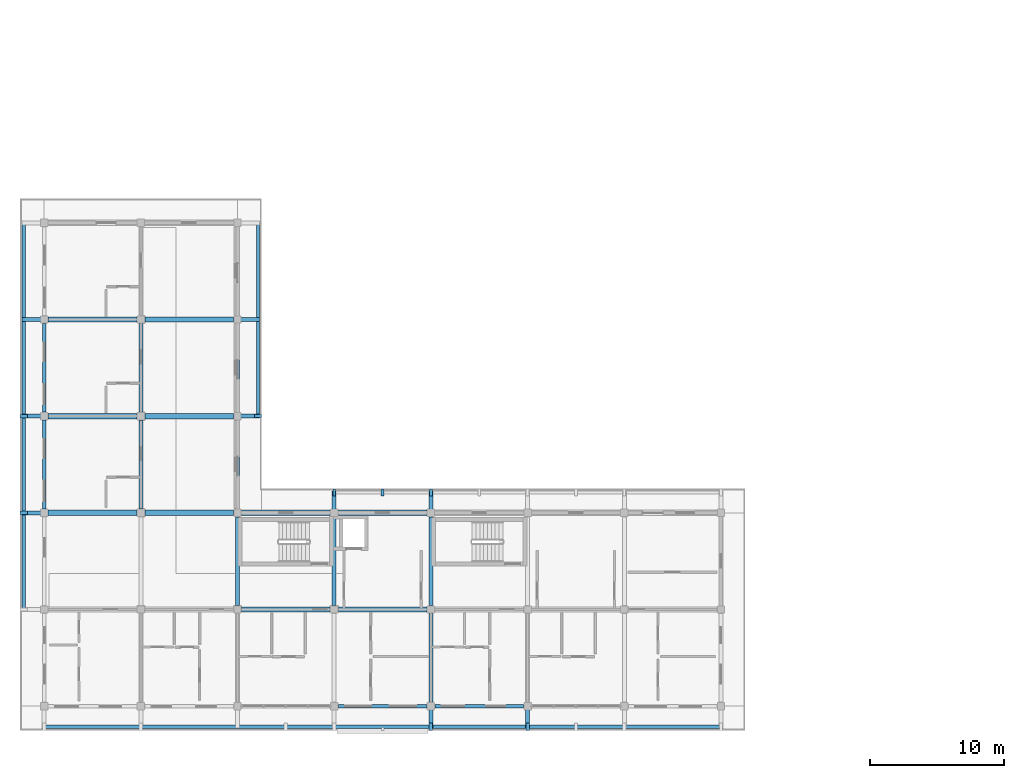
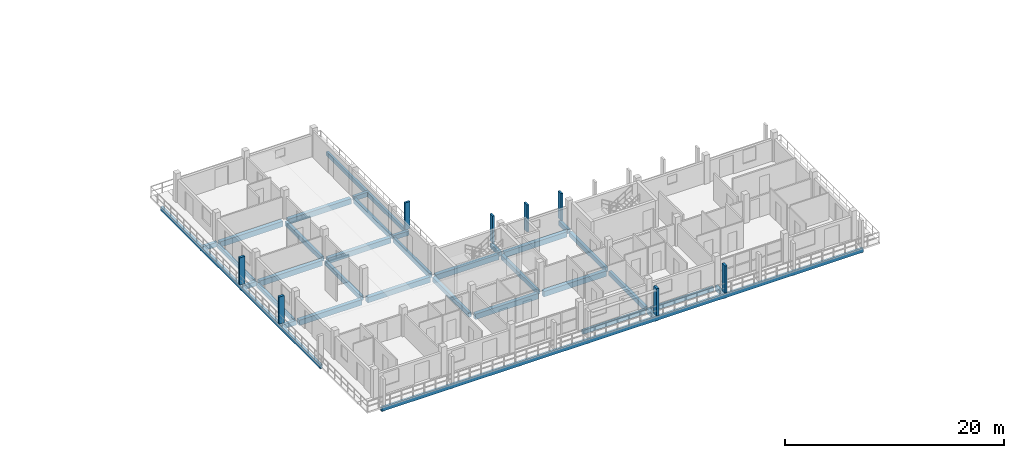
# One storey, part 5 of 73: 34 beams, 8 members.
"""IFC4 building model written with IfcOpenShell, lengths in metres."""

from ifc_helpers import new_model, si_unit, direction, frame, origin, origin_2d, place, context, subcontext, project, spatial, rectangle, extrude, material, material_profile, profile_set, type_object, element, save


model = new_model("IFC4")

# Units and contexts
model_context = context("Model", 3, precision=1e-05, world=origin(), true_north=direction((0.0, 1.0)))
body_context = subcontext(model_context, "Body", "Model", "MODEL_VIEW")
ifc_project = project(units=[si_unit("LENGTHUNIT", "METRE"), si_unit("AREAUNIT", "SQUARE_METRE"), si_unit("VOLUMEUNIT", "CUBIC_METRE"), si_unit("PLANEANGLEUNIT", "RADIAN"), si_unit("MASSUNIT", "GRAM", prefix="KILO")], contexts=[model_context])

# Site, building, storey
site_placement = place(None, origin())
site = spatial("IfcSite", under=ifc_project, at=site_placement, CompositionType="ELEMENT")
building_placement = place(site_placement, origin())
building = spatial("IfcBuilding", under=site, at=building_placement, Name="Suanplinth Sawtooth Commons", CompositionType="ELEMENT")
storey_placement = place(building_placement, frame((0.0, 0.0, 21.89990234375)))
storey = spatial("IfcBuildingStorey", under=building, at=storey_placement, Name="L06", CompositionType="ELEMENT", Elevation=21.89990234375)

# Beams
ifc_material_1 = material(Name="Precast concrete C40/50", Category="concrete")
ifc_material_profile_1 = material_profile(ifc_material_1, rectangle(XDim=0.39990234375, YDim=0.60009765625, at=origin_2d()), Name="PC-GDR 400x600")
ifc_profile_set_1 = profile_set([ifc_material_profile_1], Name="Precast concrete C40/50")
beam_type_1 = type_object("IfcBeamType", Name="B-05", PredefinedType="USERDEFINED", material=ifc_profile_set_1)
for number, where, z_axis, x_axis, name in (
    (1, (0.300048828125, 14.39990234375, -0.539794921875), (1.0, 0.0, 0.0), (0.0, 1.0, 0.0), "BMX-L06-D-0-2"),
    (2, (0.300048828125, 21.60009765625, -0.539794921875), (1.0, 0.0, 0.0), (0.0, 1.0, 0.0), "BMX-L06-D-0-3"),
    (3, (0.300048828125, 28.800048828125, -0.539794921875), (1.0, 0.0, 0.0), (0.0, 1.0, 0.0), "BMX-L06-D-0-4"),
):
    element("IfcBeam", number, at=place(storey_placement, frame(where, z_axis=z_axis, x_axis=x_axis)), inside=storey, type_object=beam_type_1, Name=name, ObjectType="GIRDER", PredefinedType="USERDEFINED", context=body_context, shape_type="SweptSolid", body=[
        extrude(rectangle(XDim=0.39990234375, YDim=0.60009765625, at=origin_2d()), origin(), (0.0, 0.0, 1.0), 6.599853515625),
    ])
for number, where, z_axis, x_axis, name in (
    (4, (7.5, 14.39990234375, -0.539794921875), (1.0, 0.0, 0.0), (0.0, 1.0, 0.0), "BMX-L06-D-1-2"),
    (5, (7.5, 21.60009765625, -0.539794921875), (1.0, 0.0, 0.0), (0.0, 1.0, 0.0), "BMX-L06-D-1-3"),
    (6, (7.5, 28.800048828125, -0.539794921875), (1.0, 0.0, 0.0), (0.0, 1.0, 0.0), "BMX-L06-D-1-4"),
    (7, (14.699951171875, 7.199951171875, -0.539794921875), (1.0, 0.0, 0.0), (0.0, 1.0, 0.0), "BMX-L06-D-2-1"),
    (8, (14.699951171875, 14.39990234375, -0.539794921875), (1.0, 0.0, 0.0), (0.0, 1.0, 0.0), "BMX-L06-D-2-2"),
    (9, (21.89990234375, 7.199951171875, -0.539794921875), (1.0, 0.0, 0.0), (0.0, 1.0, 0.0), "BMX-L06-D-3-1"),
    (10, (21.89990234375, 14.39990234375, -0.539794921875), (1.0, 0.0, 0.0), (0.0, 1.0, 0.0), "BMX-L06-D-3-2"),
):
    element("IfcBeam", number, at=place(storey_placement, frame(where, z_axis=z_axis, x_axis=x_axis)), inside=storey, type_object=beam_type_1, Name=name, ObjectType="GIRDER", PredefinedType="USERDEFINED", context=body_context, shape_type="SweptSolid", body=[
        extrude(rectangle(XDim=0.39990234375, YDim=0.60009765625, at=origin_2d()), origin(), (0.0, 0.0, 1.0), 6.60009765625),
    ])
ifc_material_profile_2 = material_profile(ifc_material_1, rectangle(XDim=0.300048828125, YDim=0.5, at=origin_2d()), Name="PC-BM 300x500")
ifc_profile_set_2 = profile_set([ifc_material_profile_2], Name="Precast concrete C40/50")
beam_type_2 = type_object("IfcBeamType", Name="B-07", PredefinedType="BEAM", material=ifc_profile_set_2)
for number, where, z_axis, x_axis, name in (
    (11, (7.199951171875, 14.699951171875, -0.489990234375), (0.0, 1.0, 0.0), (-1.0, 0.0, 0.0), "BMY-L06-D-1-2"),
    (12, (7.199951171875, 21.89990234375, -0.489990234375), (0.0, 1.0, 0.0), (-1.0, 0.0, 0.0), "BMY-L06-D-1-3"),
    (13, (14.39990234375, 7.5, -0.489990234375), (0.0, 1.0, 0.0), (-1.0, 0.0, 0.0), "BMY-L06-D-2-1"),
    (14, (14.39990234375, 14.699951171875, -0.489990234375), (0.0, 1.0, 0.0), (-1.0, 0.0, 0.0), "BMY-L06-D-2-2"),
    (15, (14.39990234375, 21.89990234375, -0.489990234375), (0.0, 1.0, 0.0), (-1.0, 0.0, 0.0), "BMY-L06-D-2-3"),
    (16, (21.60009765625, 7.5, -0.489990234375), (0.0, 1.0, 0.0), (-1.0, 0.0, 0.0), "BMY-L06-D-3-1"),
):
    element("IfcBeam", number, at=place(storey_placement, frame(where, z_axis=z_axis, x_axis=x_axis)), inside=storey, type_object=beam_type_2, Name=name, PredefinedType="BEAM", context=body_context, shape_type="SweptSolid", body=[
        extrude(rectangle(XDim=0.300048828125, YDim=0.5, at=origin_2d()), origin(), (0.0, 0.0, 1.0), 6.60009765625),
    ])
beam_1_placement = place(storey_placement, frame((28.800048828125, 0.300048828125, -0.489990234375), z_axis=(0.0, 1.0, 0.0), x_axis=(-1.0, 0.0, 0.0)))
element("IfcBeam", 17, at=beam_1_placement, inside=storey, type_object=beam_type_2, Name="BMY-L06-D-4-0", PredefinedType="BEAM", context=body_context, shape_type="SweptSolid", body=[
    extrude(rectangle(XDim=0.300048828125, YDim=0.5, at=origin_2d()), origin(), (0.0, 0.0, 1.0), 6.599853515625),
])
beam_2_placement = place(storey_placement, frame((28.800048828125, 7.5, -0.489990234375), z_axis=(0.0, 1.0, 0.0), x_axis=(-1.0, 0.0, 0.0)))
element("IfcBeam", 18, at=beam_2_placement, inside=storey, type_object=beam_type_2, Name="BMY-L06-D-4-1", PredefinedType="BEAM", context=body_context, shape_type="SweptSolid", body=[
    extrude(rectangle(XDim=0.300048828125, YDim=0.5, at=origin_2d()), origin(), (0.0, 0.0, 1.0), 6.60009765625),
])
for number, where, z_axis, x_axis, name in (
    (19, (28.800048828125, 0.0, -0.429931640625), (0.0, -1.0, 0.0), (1.0, 0.0, 0.0), "Balcony Outrigger L06-D-S-4"),
    (20, (36.0, 0.0, -0.429931640625), (0.0, -1.0, 0.0), (1.0, 0.0, 0.0), "Balcony Outrigger L06-D-S-5"),
    (21, (0.0, 14.39990234375, -0.429931640625), (-1.0, 0.0, 0.0), (0.0, -1.0, 0.0), "Balcony Outrigger L06-D-W-2"),
    (22, (0.0, 21.60009765625, -0.429931640625), (-1.0, 0.0, 0.0), (0.0, -1.0, 0.0), "Balcony Outrigger L06-D-W-3"),
    (23, (0.0, 28.800048828125, -0.429931640625), (-1.0, 0.0, 0.0), (0.0, -1.0, 0.0), "Balcony Outrigger L06-D-W-4"),
):
    element("IfcBeam", number, at=place(storey_placement, frame(where, z_axis=z_axis, x_axis=x_axis)), inside=storey, type_object=beam_type_2, Name=name, PredefinedType="BEAM", context=body_context, shape_type="SweptSolid", body=[
        extrude(rectangle(XDim=0.300048828125, YDim=0.5, at=origin_2d()), origin(), (0.0, 0.0, 1.0), 1.639892578125),
    ])
for number, where, z_axis, x_axis, name in (
    (24, (21.60009765625, 14.39990234375, -0.4248046875), (0.0, 1.0, 0.0), (-1.0, 0.0, 0.0), "Balcony Outrigger L06-D-NC-3"),
    (25, (28.800048828125, 14.39990234375, -0.4248046875), (0.0, 1.0, 0.0), (-1.0, 0.0, 0.0), "Balcony Outrigger L06-D-NC-4"),
    (26, (14.39990234375, 21.60009765625, -0.4248046875), (1.0, 0.0, 0.0), (0.0, 1.0, 0.0), "Balcony Outrigger L06-D-EC-3"),
    (27, (14.39990234375, 28.800048828125, -0.4248046875), (1.0, 0.0, 0.0), (0.0, 1.0, 0.0), "Balcony Outrigger L06-D-EC-4"),
):
    element("IfcBeam", number, at=place(storey_placement, frame(where, z_axis=z_axis, x_axis=x_axis)), inside=storey, type_object=beam_type_2, Name=name, PredefinedType="BEAM", context=body_context, shape_type="SweptSolid", body=[
        extrude(rectangle(XDim=0.300048828125, YDim=0.5, at=origin_2d()), origin(), (0.0, 0.0, 1.0), 1.64013671875),
    ])
ifc_material_profile_3 = material_profile(ifc_material_1, rectangle(XDim=0.25, YDim=0.449951171875, at=origin_2d()), Name="PC-SP 250x450")
ifc_profile_set_3 = profile_set([ifc_material_profile_3], Name="Precast concrete C40/50")
beam_type_3 = type_object("IfcBeamType", Name="B-09", PredefinedType="SPANDREL", material=ifc_profile_set_3)
beam_3_placement = place(storey_placement, frame((21.89990234375, 0.0, -0.46484375), z_axis=(1.0, 0.0, 0.0), x_axis=(0.0, 1.0, 0.0)))
element("IfcBeam", 28, at=beam_3_placement, inside=storey, type_object=beam_type_3, Name="BMX-L06-D-3-0", PredefinedType="SPANDREL", context=body_context, shape_type="SweptSolid", body=[
    extrude(rectangle(XDim=0.25, YDim=0.449951171875, at=origin_2d()), origin(), (0.0, 0.0, 1.0), 6.60009765625),
])
beam_4_placement = place(storey_placement, frame((29.10009765625, 0.0, -0.46484375), z_axis=(1.0, 0.0, 0.0), x_axis=(0.0, 1.0, 0.0)))
element("IfcBeam", 29, at=beam_4_placement, inside=storey, type_object=beam_type_3, Name="BMX-L06-D-4-0", PredefinedType="SPANDREL", context=body_context, shape_type="SweptSolid", body=[
    extrude(rectangle(XDim=0.25, YDim=0.449951171875, at=origin_2d()), origin(), (0.0, 0.0, 1.0), 6.599853515625),
])
for number, where, z_axis, x_axis, name in (
    (30, (0.0, 14.699951171875, -0.46484375), (0.0, 1.0, 0.0), (-1.0, 0.0, 0.0), "BMY-L06-D-0-2"),
    (31, (0.0, 21.89990234375, -0.46484375), (0.0, 1.0, 0.0), (-1.0, 0.0, 0.0), "BMY-L06-D-0-3"),
):
    element("IfcBeam", number, at=place(storey_placement, frame(where, z_axis=z_axis, x_axis=x_axis)), inside=storey, type_object=beam_type_3, Name=name, PredefinedType="SPANDREL", context=body_context, shape_type="SweptSolid", body=[
        extrude(rectangle(XDim=0.25, YDim=0.449951171875, at=origin_2d()), origin(), (0.0, 0.0, 1.0), 6.60009765625),
    ])
beam_5_placement = place(storey_placement, frame((-0.14990234375, -1.52001953125, -0.40478515625), z_axis=(1.0, 0.0, 0.0), x_axis=(0.0, 1.0, 0.0)))
element("IfcBeam", 32, at=beam_5_placement, inside=storey, type_object=beam_type_3, Name="Balcony Edge Fascia L06-D-S", PredefinedType="SPANDREL", context=body_context, shape_type="SweptSolid", body=[
    extrude(rectangle(XDim=0.25, YDim=0.449951171875, at=origin_2d()), origin(), (0.0, 0.0, 1.0), 50.699951171875),
])
beam_6_placement = place(storey_placement, frame((-1.52001953125, 7.050048828125, -0.40478515625), z_axis=(0.0, 1.0, 0.0), x_axis=(-1.0, 0.0, 0.0)))
element("IfcBeam", 33, at=beam_6_placement, inside=storey, type_object=beam_type_3, Name="Balcony Edge Fascia L06-D-W", PredefinedType="SPANDREL", context=body_context, shape_type="SweptSolid", body=[
    extrude(rectangle(XDim=0.25, YDim=0.449951171875, at=origin_2d()), origin(), (0.0, 0.0, 1.0), 29.099853515625),
])
beam_7_placement = place(storey_placement, frame((15.919921875, 21.449951171875, -0.39990234375), z_axis=(0.0, 1.0, 0.0), x_axis=(-1.0, 0.0, 0.0)))
element("IfcBeam", 34, at=beam_7_placement, inside=storey, type_object=beam_type_3, Name="Balcony Edge Fascia L06-D-EC", PredefinedType="SPANDREL", context=body_context, shape_type="SweptSolid", body=[
    extrude(rectangle(XDim=0.25, YDim=0.449951171875, at=origin_2d()), origin(), (0.0, 0.0, 1.0), 14.699951171875),
])

# Members
ifc_material_2 = material(Name="Pigmented precast concrete C40/50", Category="concrete")
ifc_material_profile_4 = material_profile(ifc_material_2, rectangle(XDim=0.25, YDim=0.5400390625, at=origin_2d()), Name="PC-FIN 250x540")
ifc_profile_set_4 = profile_set([ifc_material_profile_4], Name="Pigmented precast concrete C40/50")
member_type_1 = type_object("IfcMemberType", Name="M-11", PredefinedType="USERDEFINED", material=ifc_profile_set_4)
for number, where, z_axis, x_axis, name in (
    (35, (28.800048828125, -1.52001953125, 0.0), (0.0, 0.0, 1.0), (1.0, 0.0, 0.0), "Upright Solar Blade L06-D-S-05"),
    (36, (36.0, -1.52001953125, 0.0), (0.0, 0.0, 1.0), (1.0, 0.0, 0.0), "Upright Solar Blade L06-D-S-06"),
    (37, (-1.52001953125, 14.39990234375, 0.0), (0.0, 0.0, 1.0), (0.0, 1.0, 0.0), "Upright Solar Blade L06-D-W-11"),
    (38, (-1.52001953125, 21.60009765625, 0.0), (0.0, 0.0, 1.0), (0.0, 1.0, 0.0), "Upright Solar Blade L06-D-W-12"),
):
    element("IfcMember", number, at=place(storey_placement, frame(where, z_axis=z_axis, x_axis=x_axis)), inside=storey, type_object=member_type_1, Name=name, ObjectType="SHADING FIN", PredefinedType="USERDEFINED", context=body_context, shape_type="SweptSolid", body=[
        extrude(rectangle(XDim=0.25, YDim=0.5400390625, at=origin_2d()), origin(), (0.0, 0.0, 1.0), 3.030029296875),
    ])
ifc_material_profile_5 = material_profile(ifc_material_2, rectangle(XDim=0.2099609375, YDim=0.52001953125, at=origin_2d()), Name="PC-FIN 210x520")
ifc_profile_set_5 = profile_set([ifc_material_profile_5], Name="Pigmented precast concrete C40/50")
member_type_2 = type_object("IfcMemberType", Name="M-12", PredefinedType="USERDEFINED", material=ifc_profile_set_5)
for number, where, z_axis, x_axis, name in (
    (39, (21.60009765625, 15.919921875, 0.0), (0.0, 0.0, 1.0), (1.0, 0.0, 0.0), "Upright Solar Blade L06-D-NC-13"),
    (40, (25.199951171875, 15.919921875, 0.0), (0.0, 0.0, 1.0), (1.0, 0.0, 0.0), "Upright Solar Blade L06-D-NC-14"),
    (41, (28.800048828125, 15.919921875, 0.0), (0.0, 0.0, 1.0), (1.0, 0.0, 0.0), "Upright Solar Blade L06-D-NC-15"),
    (42, (15.919921875, 21.60009765625, 0.0), (0.0, 0.0, 1.0), (0.0, 1.0, 0.0), "Upright Solar Blade L06-D-EC-21"),
):
    element("IfcMember", number, at=place(storey_placement, frame(where, z_axis=z_axis, x_axis=x_axis)), inside=storey, type_object=member_type_2, Name=name, ObjectType="SHADING FIN", PredefinedType="USERDEFINED", context=body_context, shape_type="SweptSolid", body=[
        extrude(rectangle(XDim=0.2099609375, YDim=0.52001953125, at=origin_2d()), origin(), (0.0, 0.0, 1.0), 3.030029296875),
    ])

save(model, "model.ifc")
